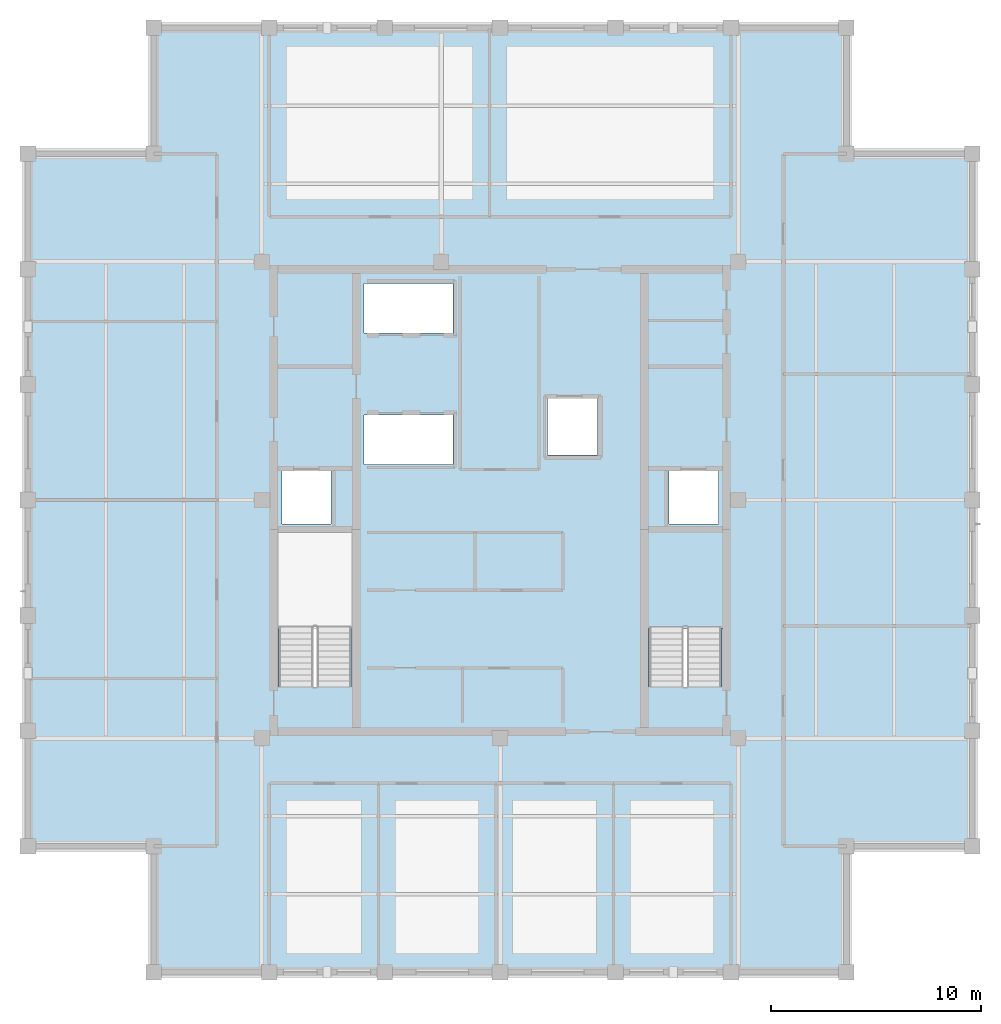
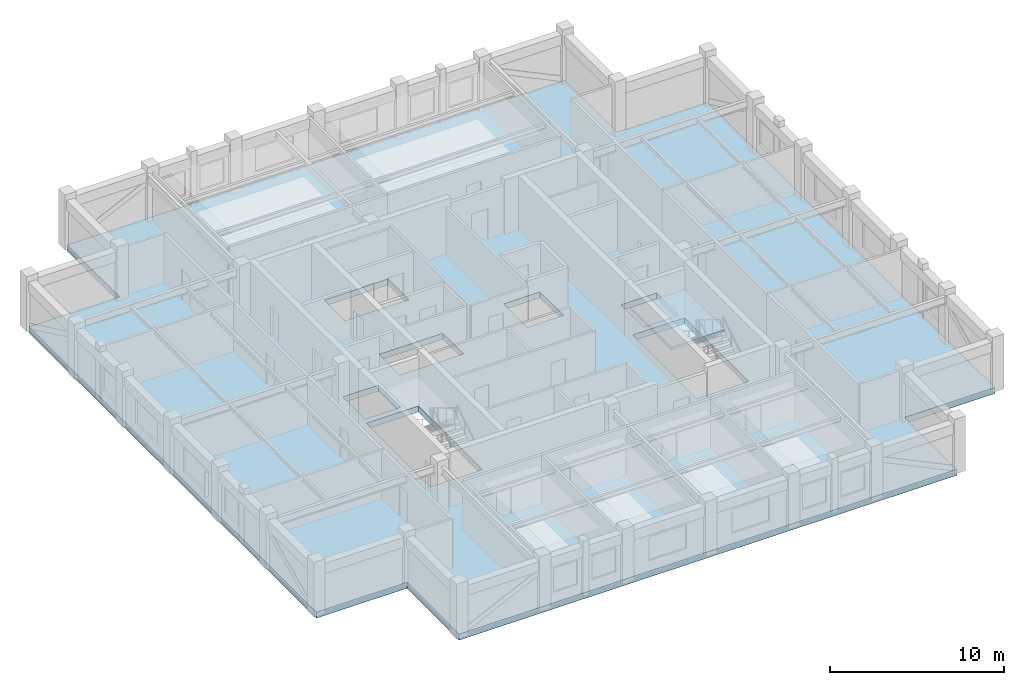
# One storey, part 3 of 10: 2 slabs, 1 element without a shape of its own.
"""IFC4 building model written with IfcOpenShell, lengths in metres."""

from ifc_helpers import new_model, si_unit, direction, frame, origin, place, context, subcontext, project, spatial, polyline, outline, extrude, material, layer, layer_set, type_object, element, aggregate, save


model = new_model("IFC4")

# Units and contexts
model_context = context("Model", 3, precision=1e-05, world=origin(), true_north=direction((0.0, 1.0)))
body_context = subcontext(model_context, "Body", "Model", "MODEL_VIEW")
ifc_project = project(units=[si_unit("LENGTHUNIT", "METRE"), si_unit("AREAUNIT", "SQUARE_METRE"), si_unit("VOLUMEUNIT", "CUBIC_METRE"), si_unit("PLANEANGLEUNIT", "RADIAN"), si_unit("MASSUNIT", "GRAM", prefix="KILO")], contexts=[model_context])

# Site, building, storey
site_placement = place(None, origin())
site = spatial("IfcSite", under=ifc_project, at=site_placement, CompositionType="ELEMENT")
building_placement = place(site_placement, origin())
building = spatial("IfcBuilding", under=site, at=building_placement, Name="Nhamokura Convention Tower", CompositionType="ELEMENT")
storey_placement = place(building_placement, frame((0.0, 0.0, 262.14990234375)))
storey = spatial("IfcBuildingStorey", under=building, at=storey_placement, Name="L64", CompositionType="ELEMENT", Elevation=262.14990234375)

# Stair, slab
ifc_material_1 = material(Name="Concrete C40/50", Category="concrete")
stair_type = type_object("IfcStairType", Name="TowerCoreStair_1650", PredefinedType="HALF_TURN_STAIR", material=ifc_material_1)
stair_placement = place(storey_placement, origin())
stair = element("IfcStair", 1, at=stair_placement, inside=storey, type_object=stair_type, Name="L64 East Core Smokeproof Stair ST-02", PredefinedType="HALF_TURN_STAIR")
ifc_material_2 = material(Name="Concrete C40/50", Category="concrete")
ifc_layer_1 = layer(ifc_material_2, 0.199951171875)
ifc_layer_set_1 = layer_set([ifc_layer_1], Name="StairLandingSlab_200")
slab_type_1 = type_object("IfcSlabType", Name="StairLandingSlab_200", PredefinedType="LANDING", material=ifc_layer_set_1)
slab_1_placement = place(storey_placement, frame((0.0, 0.0, 1.72509765625)))
slab_1 = element("IfcSlab", 2, at=slab_1_placement, type_object=slab_type_1, Name="ST-02 landing 1", PredefinedType="LANDING", context=body_context, shape_type="SweptSolid", body=[
    extrude(outline(polyline([(42.6298828125, 25.8701171875), (42.6298828125, 30.530029296875), (39.02001953125, 30.530029296875), (39.02001953125, 25.8701171875), (42.6298828125, 25.8701171875)])), origin(), (0.0, 0.0, 1.0), 0.199951171875),
])
aggregate(stair, [slab_1])

# Slab
ifc_material_3 = material(Name="Concrete C50/60", Category="concrete")
ifc_layer_2 = layer(ifc_material_3, 0.419921875)
ifc_layer_set_2 = layer_set([ifc_layer_2], Name="TransferDeckSlab_380")
slab_type_2 = type_object("IfcSlabType", Name="TransferDeckSlab_380", PredefinedType="FLOOR", material=ifc_layer_set_2)
slab_2_placement = place(storey_placement, frame((0.0, 0.0, -0.419921875)))
element("IfcSlab", 3, at=slab_2_placement, inside=storey, type_object=slab_type_2, Name="L64 Structural Floor Slab", PredefinedType="FLOOR", context=body_context, shape_type="SweptSolid", body=[
    extrude(outline(polyline([(15.5, 9.5), (48.5, 9.5), (48.5, 15.5), (54.5, 15.5), (54.5, 48.5), (48.5, 48.5), (48.5, 54.5), (15.5, 54.5), (15.5, 48.5), (9.5, 48.5), (9.5, 15.5), (15.5, 15.5), (15.5, 9.5)]), holes=[polyline([(24.89990234375, 23.10009765625), (24.89990234375, 30.449951171875), (21.449951171875, 30.449951171875), (21.449951171875, 23.10009765625), (24.89990234375, 23.10009765625)]), polyline([(42.550048828125, 23.10009765625), (42.550048828125, 30.449951171875), (39.10009765625, 30.449951171875), (39.10009765625, 23.10009765625), (42.550048828125, 23.10009765625)]), polyline([(21.60009765625, 30.85009765625), (23.949951171875, 30.85009765625), (23.949951171875, 33.39990234375), (21.60009765625, 33.39990234375), (21.60009765625, 30.85009765625)]), polyline([(40.050048828125, 30.85009765625), (42.39990234375, 30.85009765625), (42.39990234375, 33.39990234375), (40.050048828125, 33.39990234375), (40.050048828125, 30.85009765625)]), polyline([(34.25, 34.14990234375), (36.64990234375, 34.14990234375), (36.64990234375, 36.85009765625), (34.25, 36.85009765625), (34.25, 34.14990234375)]), polyline([(25.52001953125, 33.679931640625), (29.75, 33.679931640625), (29.75, 36.050048828125), (25.52001953125, 36.050048828125), (25.52001953125, 33.679931640625)]), polyline([(25.52001953125, 39.949951171875), (29.75, 39.949951171875), (29.75, 42.320068359375), (25.52001953125, 42.320068359375), (25.52001953125, 39.949951171875)])]), origin(), (0.0, 0.0, 1.0), 0.419921875),
])

save(model, "model.ifc")
